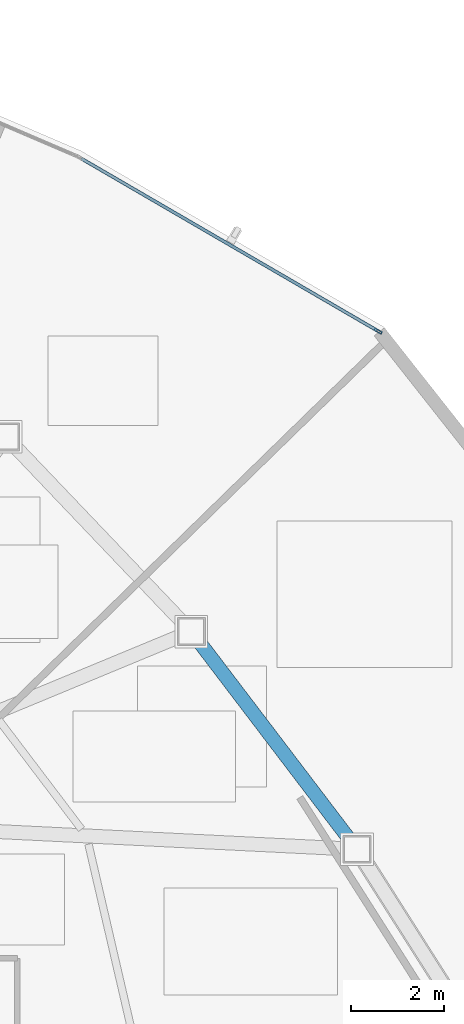
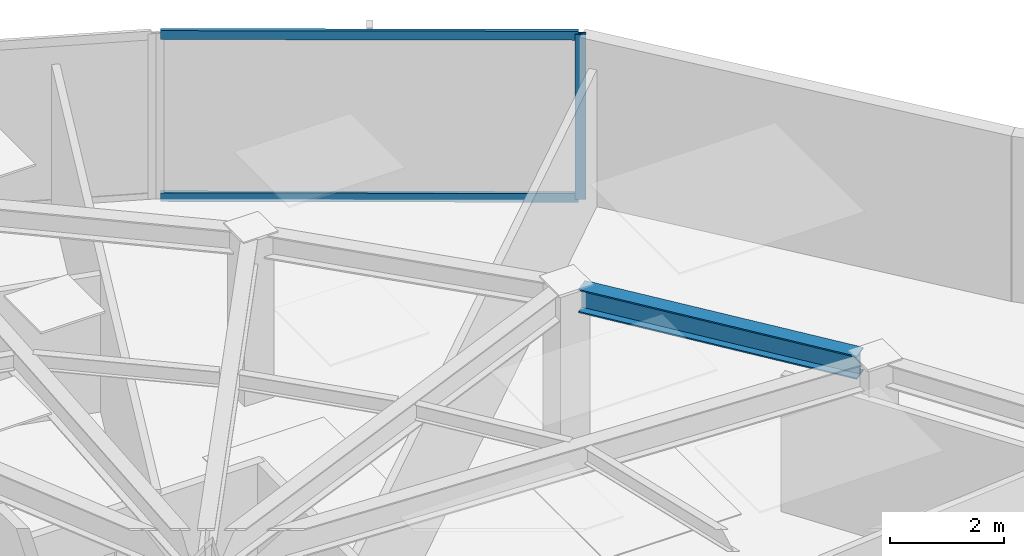
# One storey, part 10 of 18: 3 members, 1 beam, 1 element without a shape of its own.
"""IFC4 building model written with IfcOpenShell, lengths in metres."""

import ifcopenshell
import ifcopenshell.guid

model = None  # the IFC model being written
_history = None  # IfcOwnerHistory: only IFC2X3 demands one
_inside = {}  # id of a spatial element -> (the spatial element, [elements in it])
_under = {}  # id of a project, library or spatial element -> (it, [spatial elements below it])
_declared = {}  # id of a project -> (the project, [libraries it declares])
_typed = {}  # id of a type object -> (the type object, [elements of that type])
_made_of = {}  # id of a material, layer set ... -> (it, [elements and type objects made of it])


def new_model(schema):
    """Start an empty IFC model of exactly this schema.

    Asked for "IFC4X3", IfcOpenShell would pick the latest addendum, in which some entities
    have other attributes; the version numbers below select the first issue.
    IFC2X3 requires an IfcOwnerHistory on every rooted entity: one is made here for all.
    """
    global model, _history
    if schema == "IFC4X3":
        model = ifcopenshell.file(schema_version=(4, 3, 0, 0))
    else:
        model = ifcopenshell.file(schema=schema)
    _inside.clear()
    _under.clear()
    _declared.clear()
    _typed.clear()
    _made_of.clear()
    _history = None
    if model.schema == "IFC2X3":
        org = make("IfcOrganization", Name="unknown")
        user = make(
            "IfcPersonAndOrganization",
            ThePerson=make("IfcPerson", FamilyName="unknown"),
            TheOrganization=org,
        )
        app = make(
            "IfcApplication",
            ApplicationDeveloper=org,
            Version="unknown",
            ApplicationFullName="unknown",
            ApplicationIdentifier="unknown",
        )
        _history = make(
            "IfcOwnerHistory",
            OwningUser=user,
            OwningApplication=app,
            ChangeAction="ADDED",
            CreationDate=0,
        )
    return model


def make(cls, **values):
    """One entity of the class cls with the attributes given. An attribute that is None is left unset."""
    return model.create_entity(
        cls, **{name: value for name, value in values.items() if value is not None}
    )


def rooted(cls, **values):
    """An entity with a GlobalId (a new one), such as an element, a storey or a relation."""
    return make(cls, GlobalId=ifcopenshell.guid.new(), OwnerHistory=_history, **values)


def si_unit(unit_type, name, prefix=None):
    """IfcSIUnit, for example si_unit("LENGTHUNIT", "METRE", prefix="MILLI")."""
    return make("IfcSIUnit", UnitType=unit_type, Prefix=prefix, Name=name)


def assignment(units):
    """IfcUnitAssignment: the units of a project."""
    return None if units is None else make("IfcUnitAssignment", Units=units)


def point(xyz):
    """IfcCartesianPoint."""
    return None if xyz is None else make("IfcCartesianPoint", Coordinates=xyz)


def direction(xyz):
    """IfcDirection."""
    return None if xyz is None else make("IfcDirection", DirectionRatios=xyz)


def frame(location, z_axis=None, x_axis=None):
    """IfcAxis2Placement3D, a coordinate frame: its origin and axes. An axis left out is left unset."""
    return make(
        "IfcAxis2Placement3D",
        Location=point(location),
        Axis=direction(z_axis),
        RefDirection=direction(x_axis),
    )


def frame_2d(location, x_axis=None):
    """IfcAxis2Placement2D, a coordinate frame in the plane: its origin and x axis."""
    return make(
        "IfcAxis2Placement2D", Location=point(location), RefDirection=direction(x_axis)
    )


def origin():
    """The frame at (0, 0, 0) with its axes left unset."""
    return frame((0.0, 0.0, 0.0))


def origin_2d():
    """The frame at (0, 0) in the plane with its x axis left unset."""
    return frame_2d((0.0, 0.0))


def place(relative_to, where):
    """IfcLocalPlacement: puts the frame where relative to a parent placement (None: the world)."""
    return make(
        "IfcLocalPlacement", PlacementRelTo=relative_to, RelativePlacement=where
    )


def context(
    kind, dimensions, precision=None, world=None, true_north=None, identifier=None
):
    """IfcGeometricRepresentationContext, for example the 3D "Model" context."""
    return make(
        "IfcGeometricRepresentationContext",
        ContextIdentifier=identifier,
        ContextType=kind,
        CoordinateSpaceDimension=dimensions,
        Precision=precision,
        WorldCoordinateSystem=world,
        TrueNorth=true_north,
    )


def subcontext(parent, identifier, kind, view, scale=None):
    """IfcGeometricRepresentationSubContext, for example "Body" below "Model"."""
    return make(
        "IfcGeometricRepresentationSubContext",
        ContextIdentifier=identifier,
        ContextType=kind,
        ParentContext=parent,
        TargetScale=scale,
        TargetView=view,
    )


def project(units=None, contexts=None):
    """IfcProject with its units and contexts."""
    return rooted(
        "IfcProject",
        Name="project",
        RepresentationContexts=contexts,
        UnitsInContext=assignment(units),
    )


def spatial(cls, under=None, at=None, **own):
    """A site, building, storey or space (cls), placed at a placement, below another one or the project."""
    s = rooted(cls, ObjectPlacement=at, **own)
    if under is not None:
        _under.setdefault(under.id(), (under, []))[1].append(s)
    return s


def profile(cls, at=None, kind="AREA", **sizes):
    """A parametric profile (cls). Its sizes go by their IFC names, for example OverallWidth=200.0."""
    return make(cls, ProfileType=kind, Position=at, **sizes)


def hollow_rectangle(**sizes):
    """IfcRectangleHollowProfileDef."""
    return profile("IfcRectangleHollowProfileDef", **sizes)


def i_section(**sizes):
    """IfcIShapeProfileDef."""
    return profile("IfcIShapeProfileDef", **sizes)


def extrude(swept, where, along, depth):
    """IfcExtrudedAreaSolid: the profile swept, set in the frame where, extruded along a direction by depth."""
    return make(
        "IfcExtrudedAreaSolid",
        SweptArea=swept,
        Position=where,
        ExtrudedDirection=direction(along),
        Depth=depth,
    )


def shape(context_of_items, identifier, shape_type, items):
    """IfcShapeRepresentation: the items that make up one representation, for example the "Body"."""
    return make(
        "IfcShapeRepresentation",
        ContextOfItems=context_of_items,
        RepresentationIdentifier=identifier,
        RepresentationType=shape_type,
        Items=items,
    )


def source(mapping_origin, context_of_items, identifier, shape_type, items):
    """IfcRepresentationMap: a shape defined once, which mapped items show again and again."""
    return make(
        "IfcRepresentationMap",
        MappingOrigin=mapping_origin,
        MappedRepresentation=shape(context_of_items, identifier, shape_type, items),
    )


def transform(
    local_origin,
    x_axis=None,
    y_axis=None,
    z_axis=None,
    scale=None,
    scale2=None,
    scale3=None,
    uniform=True,
):
    """IfcCartesianTransformationOperator3D, or its non-uniform kind. x_axis, y_axis, z_axis: its Axis1, 2, 3."""
    if uniform:
        return make(
            "IfcCartesianTransformationOperator3D",
            Axis1=direction(x_axis),
            Axis2=direction(y_axis),
            LocalOrigin=point(local_origin),
            Scale=scale,
            Axis3=direction(z_axis),
        )
    return make(
        "IfcCartesianTransformationOperator3DnonUniform",
        Axis1=direction(x_axis),
        Axis2=direction(y_axis),
        LocalOrigin=point(local_origin),
        Scale=scale,
        Axis3=direction(z_axis),
        Scale2=scale2,
        Scale3=scale3,
    )


def mapped(mapping_source, mapping_target):
    """IfcMappedItem: shows the shape of a source again, moved by a transform."""
    return make(
        "IfcMappedItem", MappingSource=mapping_source, MappingTarget=mapping_target
    )


def material(Name=None, Category=None):
    """IfcMaterial."""
    return make("IfcMaterial", Name=Name, Category=Category)


def layer(
    of_material, thickness, ventilated=None, Name=None, Category=None, Priority=None
):
    """IfcMaterialLayer: one layer of a wall or slab, of a material (None: an air gap)."""
    return make(
        "IfcMaterialLayer",
        Material=of_material,
        LayerThickness=thickness,
        IsVentilated=ventilated,
        Name=Name,
        Category=Category,
        Priority=Priority,
    )


def layer_set(layers, Name=None):
    """IfcMaterialLayerSet."""
    return make("IfcMaterialLayerSet", MaterialLayers=layers, LayerSetName=Name)


def material_profile(
    of_material, cross_section, Name=None, Category=None, Priority=None
):
    """IfcMaterialProfile: a cross section and its material."""
    return make(
        "IfcMaterialProfile",
        Name=Name,
        Material=of_material,
        Profile=cross_section,
        Priority=Priority,
        Category=Category,
    )


def profile_set(profiles, Name=None, composite=None):
    """IfcMaterialProfileSet."""
    return make(
        "IfcMaterialProfileSet",
        Name=Name,
        MaterialProfiles=profiles,
        CompositeProfile=composite,
    )


def made_of(thing, what):
    """Note that an element or type object is made of a material, layer set ...; save() writes the relation."""
    if what is not None:
        _made_of.setdefault(what.id(), (what, []))[1].append(thing)
    return thing


def type_object(cls, material=None, **own):
    """A type object (cls), such as IfcWallType, which elements share."""
    return made_of(rooted(cls, **own), material)


def type_shapes(of_type, sources):
    """Give a type object the sources (RepresentationMaps) that its elements show as mapped items."""
    of_type.RepresentationMaps = sources


def element(
    cls,
    number,
    at=None,
    inside=None,
    cuts=None,
    type_object=None,
    material=None,
    context=None,
    identifier="Body",
    shape_type=None,
    held_by="IfcProductDefinitionShape",
    body=None,
    shapes=None,
    **own,
):
    """One element of the class cls, such as IfcWall. Its Tag is "e" and its number.

    at: its placement. inside: the storey or other place that contains it. cuts: it is an
    opening in that element (IfcRelVoidsElement). A single representation is given by context,
    identifier, shape_type and body (its items); several are given by shapes. held_by: the class
    of the entity that holds the representations. save() writes the other relations.
    """
    e = rooted(cls, Tag="e%d" % number, ObjectPlacement=at, **own)
    if body is not None:
        shapes = [shape(context, identifier, shape_type, body)]
    if shapes is not None:
        e.Representation = make(held_by, Representations=shapes)
    if inside is not None:
        _inside.setdefault(inside.id(), (inside, []))[1].append(e)
    if cuts is not None:
        rooted(
            "IfcRelVoidsElement", RelatingBuildingElement=cuts, RelatedOpeningElement=e
        )
    if type_object is not None:
        _typed.setdefault(type_object.id(), (type_object, []))[1].append(e)
    return made_of(e, material)


def aggregate(whole, parts):
    """IfcRelAggregates: a whole, such as a stair, and the parts it consists of."""
    return rooted("IfcRelAggregates", RelatingObject=whole, RelatedObjects=parts)


def save(model, path):
    """Write the relations noted so far, then the file.

    IfcRelAggregates (storeys below a building ...), IfcRelContainedInSpatialStructure (elements
    in a storey), IfcRelDefinesByType, IfcRelAssociatesMaterial and IfcRelDeclares: one each for
    every whole, place, type object, material and project.
    """
    for whole, parts in _under.values():
        aggregate(whole, parts)
    for where, things in _inside.values():
        rooted(
            "IfcRelContainedInSpatialStructure",
            RelatedElements=things,
            RelatingStructure=where,
        )
    for kind, things in _typed.values():
        rooted("IfcRelDefinesByType", RelatedObjects=things, RelatingType=kind)
    for what, things in _made_of.values():
        rooted("IfcRelAssociatesMaterial", RelatedObjects=things, RelatingMaterial=what)
    for by, libraries in _declared.values():
        rooted("IfcRelDeclares", RelatingContext=by, RelatedDefinitions=libraries)
    model.write(path)


model = new_model("IFC4")

# Units and contexts
model_context = context("Model", 3, precision=1e-05, world=origin(), true_north=direction((0.0, 1.0)))
body_context = subcontext(model_context, "Body", "Model", "MODEL_VIEW")
ifc_project = project(units=[si_unit("LENGTHUNIT", "METRE"), si_unit("AREAUNIT", "SQUARE_METRE"), si_unit("VOLUMEUNIT", "CUBIC_METRE"), si_unit("PLANEANGLEUNIT", "RADIAN"), si_unit("MASSUNIT", "GRAM", prefix="KILO")], contexts=[model_context])

# Site, building, storey
site_placement = place(None, origin())
site = spatial("IfcSite", under=ifc_project, at=site_placement, CompositionType="ELEMENT")
building_placement = place(site_placement, origin())
building = spatial("IfcBuilding", under=site, at=building_placement, Name="Tavelor Broadcast Tower", CompositionType="ELEMENT")
storey_placement = place(building_placement, frame((0.0, 0.0, 173.35009765625)))
storey = spatial("IfcBuildingStorey", under=building, at=storey_placement, Name="L41", CompositionType="ELEMENT", Elevation=173.35009765625)

# Beam
ifc_material_1 = material(Name="Steel S355", Category="steel")
ifc_material_profile_1 = material_profile(ifc_material_1, i_section(OverallWidth=0.300048828125, OverallDepth=0.5, WebThickness=0.014404296875, FlangeThickness=0.028076171875, at=origin_2d()), Name="HEB 500")
ifc_profile_set_1 = profile_set([ifc_material_profile_1], Name="Steel S355")
beam_type = type_object("IfcBeamType", Name="Perimeter Spandrel Beam T4 HEB 500", PredefinedType="SPANDREL", material=ifc_profile_set_1)
beam_placement = place(storey_placement, frame((69.711669921875, 50.7734375, 3.2998046875), z_axis=(-0.605502841959, 0.795843143075, 0.0), x_axis=(-0.795843143075, -0.605502841959, 0.0)))
element("IfcBeam", 1, at=beam_placement, inside=storey, type_object=beam_type, Name="L41 Framed-Tube Ring Spandrel 14", PredefinedType="SPANDREL", context=body_context, shape_type="SweptSolid", body=[
    extrude(i_section(OverallWidth=0.300048828125, OverallDepth=0.5, WebThickness=0.014404296875, FlangeThickness=0.028076171875, at=origin_2d()), origin(), (0.0, 0.0, 1.0), 5.310302734375),
])

# Curtain wall, members
ifc_material_2 = material(Name="Architectural Anodized Aluminium", Category="aluminium")
ifc_layer = layer(ifc_material_2, 0.18994140625)
ifc_layer_set = layer_set([ifc_layer], Name="Architectural Anodized Aluminium")
curtain_wall_type = type_object("IfcCurtainWallType", Name="Tower Mid-Zone Acoustic Curtain Wall CW03", PredefinedType="NOTDEFINED", material=ifc_layer_set)
curtain_wall_placement = place(storey_placement, origin())
curtain_wall = element("IfcCurtainWall", 2, at=curtain_wall_placement, inside=storey, type_object=curtain_wall_type, Name="L41 Curtain Wall CW03 Run 441", PredefinedType="NOTDEFINED")
ifc_material_profile_2 = material_profile(ifc_material_2, hollow_rectangle(XDim=0.068115234375, YDim=0.18994140625, WallThickness=0.02197265625, at=origin_2d()), Name="RHS 68x190x22")
ifc_profile_set_2 = profile_set([ifc_material_profile_2], Name="Architectural Anodized Aluminium")
member_type_1 = type_object("IfcMemberType", Name="CW03 Extruded Aluminium Mullion 68x190", PredefinedType="MULLION", material=ifc_profile_set_2)
shared_shape_1 = source(origin(), body_context, "Body", "SweptSolid", [
    extrude(hollow_rectangle(XDim=0.068115234375, YDim=0.18994140625, WallThickness=0.02197265625, at=origin_2d()), origin(), (0.0, 0.0, 1.0), 3.5498046875),
])
type_shapes(member_type_1, [shared_shape_1])
member_1_placement = place(storey_placement, frame((70.340087890625, 61.691162109375, 0.0), z_axis=(0.0, 0.0, 1.0), x_axis=(-0.502638329431, -0.864496795707, 0.0)))
member_1 = element("IfcMember", 3, at=member_1_placement, type_object=member_type_1, Name="CW03 mullion 1", PredefinedType="MULLION", context=body_context, shape_type="MappedRepresentation", body=[
    mapped(shared_shape_1, transform((0.0, 0.0, 0.0), scale=1.0)),
])
ifc_material_profile_3 = material_profile(ifc_material_2, hollow_rectangle(XDim=0.068115234375, YDim=0.18994140625, WallThickness=0.02197265625, at=origin_2d()), Name="RHS 68x190x22")
ifc_profile_set_3 = profile_set([ifc_material_profile_3], Name="Architectural Anodized Aluminium")
member_type_2 = type_object("IfcMemberType", Name="CW03 Extruded Aluminium Transom 68x190", PredefinedType="USERDEFINED", material=ifc_profile_set_3)
shared_shape_2 = source(origin(), body_context, "Body", "SweptSolid", [
    extrude(hollow_rectangle(XDim=0.068115234375, YDim=0.18994140625, WallThickness=0.02197265625, at=origin_2d()), origin(), (0.0, 0.0, 1.0), 7.3525390625),
])
type_shapes(member_type_2, [shared_shape_2])
member_2_placement = place(storey_placement, frame((70.310791015625, 61.708251953125, 0.033935546875), z_axis=(-0.864501817941, 0.502629691499, 0.0), x_axis=(-0.502629691499, -0.864501817941, 0.0)))
member_2 = element("IfcMember", 4, at=member_2_placement, type_object=member_type_2, Name="CW03 transom 1.1", ObjectType="TRANSOM", PredefinedType="USERDEFINED", context=body_context, shape_type="MappedRepresentation", body=[
    mapped(shared_shape_2, transform((0.0, 0.0, 0.0), scale=1.0)),
])
member_3_placement = place(storey_placement, frame((70.310791015625, 61.708251953125, 3.515869140625), z_axis=(-0.864501817941, 0.502629691499, 0.0), x_axis=(-0.502629691499, -0.864501817941, 0.0)))
member_3 = element("IfcMember", 5, at=member_3_placement, type_object=member_type_2, Name="CW03 transom 1.2", ObjectType="TRANSOM", PredefinedType="USERDEFINED", context=body_context, shape_type="MappedRepresentation", body=[
    mapped(shared_shape_2, transform((0.0, 0.0, 0.0), scale=1.0)),
])
aggregate(curtain_wall, [member_1, member_2, member_3])

save(model, "model.ifc")
